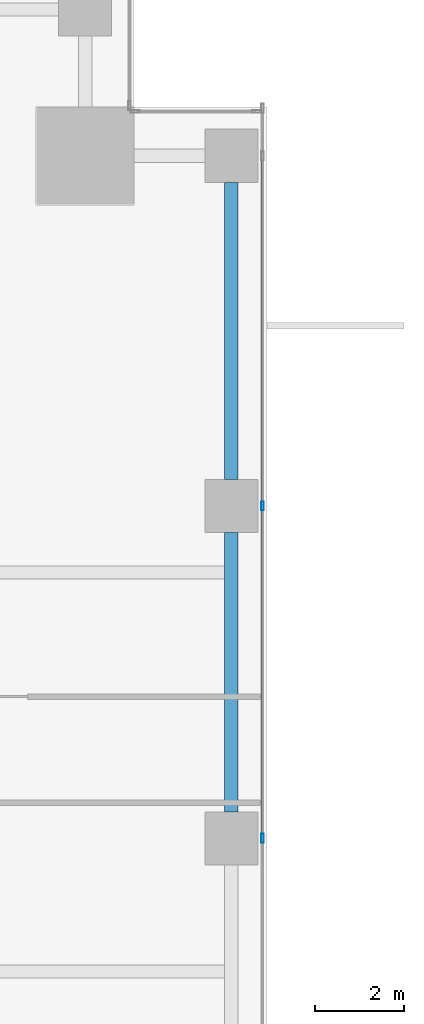
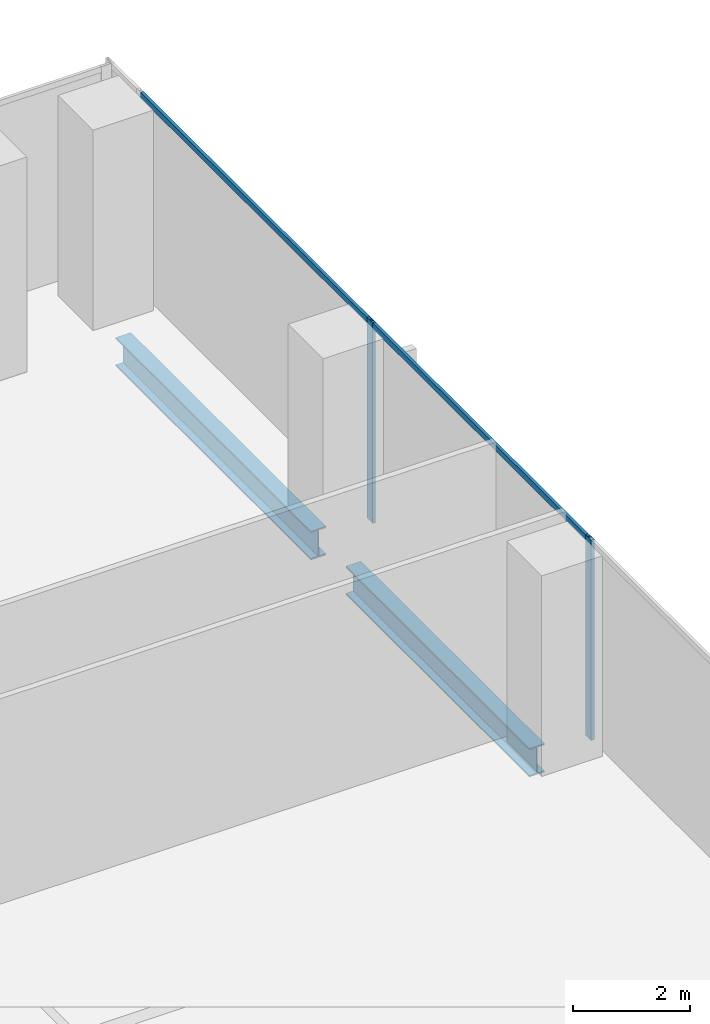
# One storey, part 17 of 33: 4 members, 2 beams, 1 element without a shape of its own.
"""IFC4 building model written with IfcOpenShell, lengths in metres."""

from ifc_helpers import new_model, si_unit, direction, frame, origin, origin_2d, place, context, subcontext, project, spatial, hollow_rectangle, i_section, extrude, source, transform, mapped, material, material_profile, profile_set, type_object, element, aggregate, save


model = new_model("IFC4")

# Units and contexts
model_context = context("Model", 3, precision=1e-05, world=origin(), true_north=direction((0.0, 1.0)))
body_context = subcontext(model_context, "Body", "Model", "MODEL_VIEW")
ifc_project = project(units=[si_unit("LENGTHUNIT", "METRE"), si_unit("AREAUNIT", "SQUARE_METRE"), si_unit("VOLUMEUNIT", "CUBIC_METRE"), si_unit("PLANEANGLEUNIT", "RADIAN"), si_unit("MASSUNIT", "GRAM", prefix="KILO")], contexts=[model_context])

# Site, building, storey
site_placement = place(None, origin())
site = spatial("IfcSite", under=ifc_project, at=site_placement, CompositionType="ELEMENT")
building_placement = place(site_placement, origin())
building = spatial("IfcBuilding", under=site, at=building_placement, Name="Khomas Fold Tower", CompositionType="ELEMENT")
storey_placement = place(building_placement, frame((0.0, 0.0, 82.5)))
storey = spatial("IfcBuildingStorey", under=building, at=storey_placement, Name="L17", CompositionType="ELEMENT", Elevation=82.5)

# Beams
ifc_material_1 = material(Name="Steel S355", Category="steel")
ifc_material_profile_1 = material_profile(ifc_material_1, i_section(OverallWidth=0.300048828125, OverallDepth=0.60009765625, WebThickness=0.015380859375, FlangeThickness=0.030029296875, at=origin_2d()), Name="HE 600 B")
ifc_profile_set_1 = profile_set([ifc_material_profile_1], Name="Steel S355")
beam_type = type_object("IfcBeamType", Name="HE 600 B spandrel SB1", PredefinedType="SPANDREL", material=ifc_profile_set_1)
shared_shape_1 = source(origin(), body_context, "Body", "SweptSolid", [
    extrude(i_section(OverallWidth=0.300048828125, OverallDepth=0.60009765625, WebThickness=0.015380859375, FlangeThickness=0.030029296875, at=origin_2d()), origin(), (0.0, 0.0, 1.0), 6.699951171875),
])
beam_1_placement = place(storey_placement, frame((53.199951171875, 42.60009765625, -0.60009765625), z_axis=(0.0, 1.0, 0.0), x_axis=(-1.0, 0.0, 0.0)))
element("IfcBeam", 1, at=beam_1_placement, inside=storey, type_object=beam_type, Name="SB1", PredefinedType="SPANDREL", context=body_context, shape_type="MappedRepresentation", body=[
    mapped(shared_shape_1, transform((0.0, 0.0, 0.0))),
])
shared_shape_2 = source(origin(), body_context, "Body", "SweptSolid", [
    extrude(i_section(OverallWidth=0.300048828125, OverallDepth=0.60009765625, WebThickness=0.015380859375, FlangeThickness=0.030029296875, at=origin_2d()), origin(), (0.0, 0.0, 1.0), 6.2998046875),
])
beam_2_placement = place(storey_placement, frame((53.199951171875, 35.10009765625, -0.60009765625), z_axis=(0.0, 1.0, 0.0), x_axis=(-1.0, 0.0, 0.0)))
element("IfcBeam", 2, at=beam_2_placement, inside=storey, type_object=beam_type, Name="SB1", PredefinedType="SPANDREL", context=body_context, shape_type="MappedRepresentation", body=[
    mapped(shared_shape_2, transform((0.0, 0.0, 0.0))),
])

# Curtain wall, members
ifc_material_2 = material(Name="Aluminium framed double glazing", Category="aluminium")
curtain_wall_type = type_object("IfcCurtainWallType", Name="SK-Unitised clear-glass wall, growing floors CW1", PredefinedType="NOTDEFINED", material=ifc_material_2)
curtain_wall_placement = place(storey_placement, origin())
curtain_wall = element("IfcCurtainWall", 3, at=curtain_wall_placement, inside=storey, type_object=curtain_wall_type, Name="CW1 run L17 03-1", PredefinedType="NOTDEFINED")
ifc_material_3 = material(Name="Aluminium", Category="aluminium")
ifc_material_profile_2 = material_profile(ifc_material_3, hollow_rectangle(XDim=0.06005859375, YDim=0.1201171875, WallThickness=0.00390625, at=origin_2d()), Name="SK-Unitised clear-glass wall, growing floors transom CW1-T")
ifc_profile_set_2 = profile_set([ifc_material_profile_2], Name="Aluminium")
member_type_1 = type_object("IfcMemberType", Name="SK-Unitised clear-glass wall, growing floors transom CW1-T", PredefinedType="USERDEFINED", material=ifc_profile_set_2)
shared_shape_3 = source(origin(), body_context, "Body", "SweptSolid", [
    extrude(hollow_rectangle(XDim=0.06005859375, YDim=0.1201171875, WallThickness=0.00390625, at=origin_2d()), origin(), (0.0, 0.0, 1.0), 7.840087890625),
])
member_1_placement = place(storey_placement, frame((53.89990234375, 42.030029296875, 4.139892578125), z_axis=(0.0, 1.0, 0.0), x_axis=(-1.0, 0.0, 0.0)))
member_1 = element("IfcMember", 4, at=member_1_placement, type_object=member_type_1, Name="CW1 transom 4", ObjectType="TRANSOM", PredefinedType="USERDEFINED", context=body_context, shape_type="MappedRepresentation", body=[
    mapped(shared_shape_3, transform((0.0, 0.0, 0.0))),
])
shared_shape_4 = source(origin(), body_context, "Body", "SweptSolid", [
    extrude(hollow_rectangle(XDim=0.06005859375, YDim=0.1201171875, WallThickness=0.00390625, at=origin_2d()), origin(), (0.0, 0.0, 1.0), 7.43994140625),
])
member_2_placement = place(storey_placement, frame((53.89990234375, 34.530029296875, 4.139892578125), z_axis=(0.0, 1.0, 0.0), x_axis=(-1.0, 0.0, 0.0)))
member_2 = element("IfcMember", 5, at=member_2_placement, type_object=member_type_1, Name="CW1 transom 3", ObjectType="TRANSOM", PredefinedType="USERDEFINED", context=body_context, shape_type="MappedRepresentation", body=[
    mapped(shared_shape_4, transform((0.0, 0.0, 0.0))),
])
ifc_material_4 = material(Name="Aluminium", Category="aluminium")
ifc_material_profile_3 = material_profile(ifc_material_4, hollow_rectangle(XDim=0.06005859375, YDim=0.199951171875, WallThickness=0.00390625, at=origin_2d()), Name="SK-Unitised clear-glass wall, growing floors mullion CW1-M")
ifc_profile_set_3 = profile_set([ifc_material_profile_3], Name="Aluminium")
member_type_2 = type_object("IfcMemberType", Name="SK-Unitised clear-glass wall, growing floors mullion CW1-M", PredefinedType="MULLION", material=ifc_profile_set_3)
shared_shape_5 = source(origin(), body_context, "Body", "SweptSolid", [
    extrude(hollow_rectangle(XDim=0.06005859375, YDim=0.199951171875, WallThickness=0.00390625, at=origin_2d()), origin(), (0.0, 0.0, 1.0), 4.199951171875),
])
member_3_placement = place(storey_placement, frame((53.89990234375, 34.5, 0.0), z_axis=(0.0, 0.0, 1.0), x_axis=(-1.0, 0.0, 0.0)))
member_3 = element("IfcMember", 6, at=member_3_placement, type_object=member_type_2, Name="CW1 mullion 3", PredefinedType="MULLION", context=body_context, shape_type="MappedRepresentation", body=[
    mapped(shared_shape_5, transform((0.0, 0.0, 0.0))),
])
member_4_placement = place(storey_placement, frame((53.89990234375, 42.0, 0.0), z_axis=(0.0, 0.0, 1.0), x_axis=(-1.0, 0.0, 0.0)))
member_4 = element("IfcMember", 7, at=member_4_placement, type_object=member_type_2, Name="CW1 mullion 4", PredefinedType="MULLION", context=body_context, shape_type="MappedRepresentation", body=[
    mapped(shared_shape_5, transform((0.0, 0.0, 0.0))),
])
aggregate(curtain_wall, [member_3, member_4, member_2, member_1])

save(model, "model.ifc")
